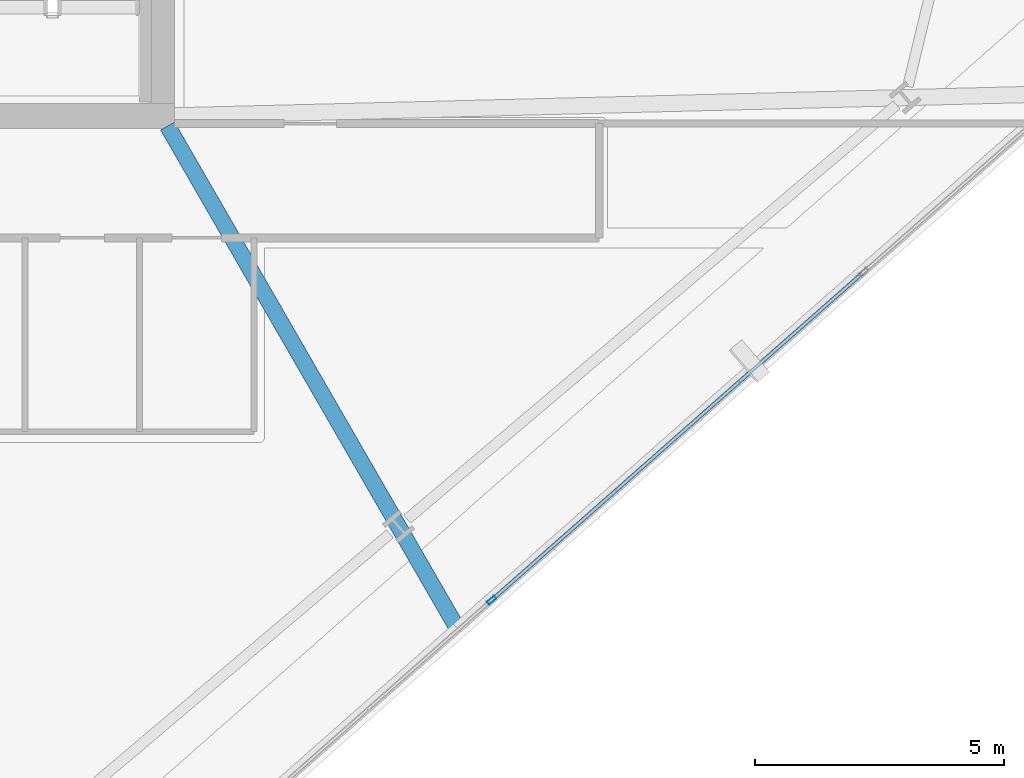
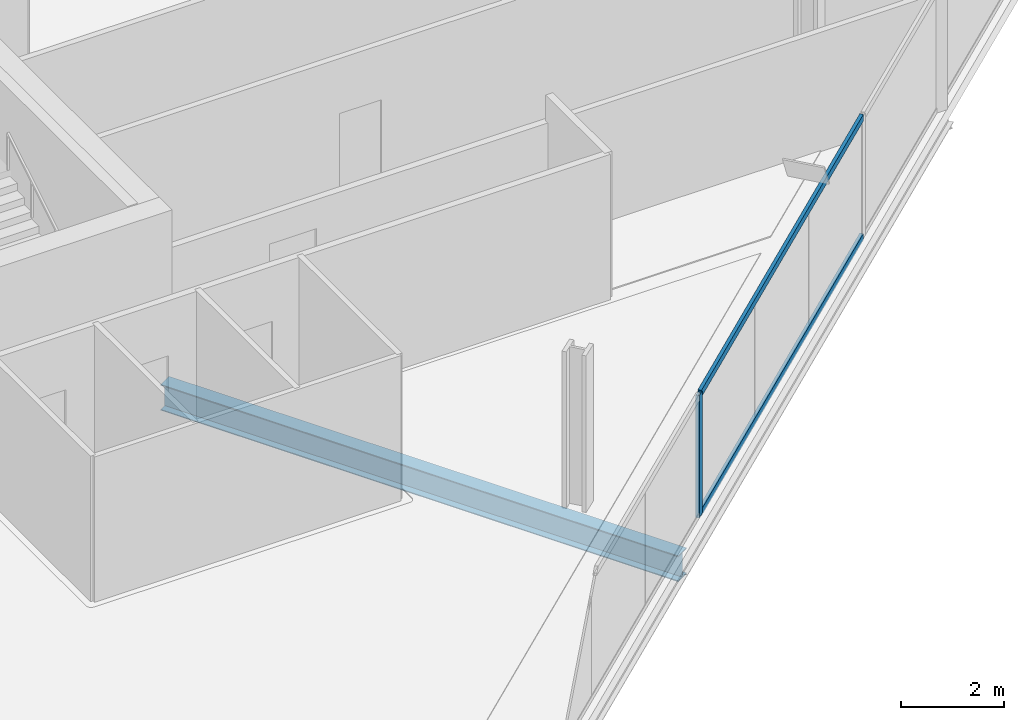
# One storey, part 9 of 34: 3 members, 1 beam, 1 element without a shape of its own.
"""IFC4 building model written with IfcOpenShell, lengths in metres."""

from ifc_helpers import new_model, si_unit, direction, frame, origin, origin_2d, place, context, subcontext, project, spatial, hollow_rectangle, i_section, extrude, material, material_profile, profile_set, type_object, element, aggregate, save


model = new_model("IFC4")

# Units and contexts
model_context = context("Model", 3, precision=1e-05, world=origin(), true_north=direction((0.0, 1.0)))
body_context = subcontext(model_context, "Body", "Model", "MODEL_VIEW")
ifc_project = project(units=[si_unit("LENGTHUNIT", "METRE"), si_unit("AREAUNIT", "SQUARE_METRE"), si_unit("VOLUMEUNIT", "CUBIC_METRE"), si_unit("PLANEANGLEUNIT", "RADIAN"), si_unit("MASSUNIT", "GRAM", prefix="KILO")], contexts=[model_context])

# Site, building, storey
site_placement = place(None, origin())
site = spatial("IfcSite", under=ifc_project, at=site_placement, CompositionType="ELEMENT")
building_placement = place(site_placement, origin())
building = spatial("IfcBuilding", under=site, at=building_placement, Name="Haldenkirk Collegiate Tower", CompositionType="ELEMENT")
storey_placement = place(building_placement, frame((0.0, 0.0, 166.949951171875)))
storey = spatial("IfcBuildingStorey", under=building, at=storey_placement, Name="L41", CompositionType="ELEMENT", Elevation=166.949951171875)

# Beam
ifc_material_1 = material(Name="Steel ASTM A992 Grade 50", Category="steel")
ifc_material_profile_1 = material_profile(ifc_material_1, i_section(OverallWidth=0.324951171875, OverallDepth=0.615966796875, WebThickness=0.013916015625, FlangeThickness=0.021484375, at=origin_2d()), Name="W24X117")
ifc_profile_set_1 = profile_set([ifc_material_profile_1], Name="Steel ASTM A992 Grade 50")
beam_type = type_object("IfcBeamType", Name="BM-GIRDER-W24X117", PredefinedType="BEAM", material=ifc_profile_set_1)
beam_placement = place(storey_placement, frame((50.939453125, 7.702392578125, -0.597900390625), z_axis=(-0.499623944056, 0.866242410948, 0.0), x_axis=(-0.866242410948, -0.499623944056, 0.0)))
element("IfcBeam", 1, at=beam_placement, inside=storey, type_object=beam_type, Name="L41 primary floor girder 06", PredefinedType="BEAM", context=body_context, shape_type="SweptSolid", body=[
    extrude(i_section(OverallWidth=0.324951171875, OverallDepth=0.615966796875, WebThickness=0.013916015625, FlangeThickness=0.021484375, at=origin_2d()), origin(), (0.0, 0.0, 1.0), 11.65771484375),
])

# Curtain wall, members
ifc_material_2 = material(Name="Anodised architectural bronze aluminium", Category="aluminium")
curtain_wall_type = type_object("IfcCurtainWallType", Name="CW-SYS2-CONCAVE", PredefinedType="USERDEFINED", material=ifc_material_2)
curtain_wall_placement = place(storey_placement, origin())
curtain_wall = element("IfcCurtainWall", 2, at=curtain_wall_placement, inside=storey, type_object=curtain_wall_type, Name="L41 South concave recessed bronze-anodised curtain wall", ObjectType="UNITISED CURTAIN WALL", PredefinedType="USERDEFINED")
ifc_material_profile_2 = material_profile(ifc_material_2, hollow_rectangle(XDim=0.074951171875, YDim=0.18994140625, WallThickness=0.0048828125, at=origin_2d()), Name="CW-MUL-02")
ifc_profile_set_2 = profile_set([ifc_material_profile_2], Name="Anodised architectural bronze aluminium")
member_type_1 = type_object("IfcMemberType", Name="CW-MUL-02", PredefinedType="MULLION", material=ifc_profile_set_2)
member_1_placement = place(storey_placement, frame((51.63671875, 8.263671875, 0.0), z_axis=(0.0, 0.0, 1.0), x_axis=(0.661310403519, -0.750112358382, 0.0)))
member_1 = element("IfcMember", 3, at=member_1_placement, type_object=member_type_1, Name="CW-02 mullion 3", PredefinedType="MULLION", context=body_context, shape_type="SweptSolid", body=[
    extrude(hollow_rectangle(XDim=0.074951171875, YDim=0.18994140625, WallThickness=0.0048828125, at=origin_2d()), origin(), (0.0, 0.0, 1.0), 2.9111328125),
])
ifc_material_profile_3 = material_profile(ifc_material_2, hollow_rectangle(XDim=0.074951171875, YDim=0.159912109375, WallThickness=0.0048828125, at=origin_2d()), Name="CW-TRN-02")
ifc_profile_set_3 = profile_set([ifc_material_profile_3], Name="Anodised architectural bronze aluminium")
member_type_2 = type_object("IfcMemberType", Name="CW-TRN-02", PredefinedType="USERDEFINED", material=ifc_profile_set_3)
member_2_placement = place(storey_placement, frame((59.091064453125, 14.83544921875, 0.03759765625), z_axis=(-0.75011197905, -0.661310833788, 0.0), x_axis=(0.661310833788, -0.75011197905, 0.0)))
member_2 = element("IfcMember", 4, at=member_2_placement, type_object=member_type_2, Name="CW-02 transom 2.1", ObjectType="TRANSOM", PredefinedType="USERDEFINED", context=body_context, shape_type="SweptSolid", body=[
    extrude(hollow_rectangle(XDim=0.074951171875, YDim=0.159912109375, WallThickness=0.0048828125, at=origin_2d()), origin(), (0.0, 0.0, 1.0), 9.900146484375),
])
member_3_placement = place(storey_placement, frame((59.091064453125, 14.83544921875, 2.87353515625), z_axis=(-0.75011197905, -0.661310833788, 0.0), x_axis=(0.661310833788, -0.75011197905, 0.0)))
member_3 = element("IfcMember", 5, at=member_3_placement, type_object=member_type_2, Name="CW-02 transom 2.2", ObjectType="TRANSOM", PredefinedType="USERDEFINED", context=body_context, shape_type="SweptSolid", body=[
    extrude(hollow_rectangle(XDim=0.074951171875, YDim=0.159912109375, WallThickness=0.0048828125, at=origin_2d()), origin(), (0.0, 0.0, 1.0), 9.900146484375),
])
aggregate(curtain_wall, [member_1, member_2, member_3])

save(model, "model.ifc")
